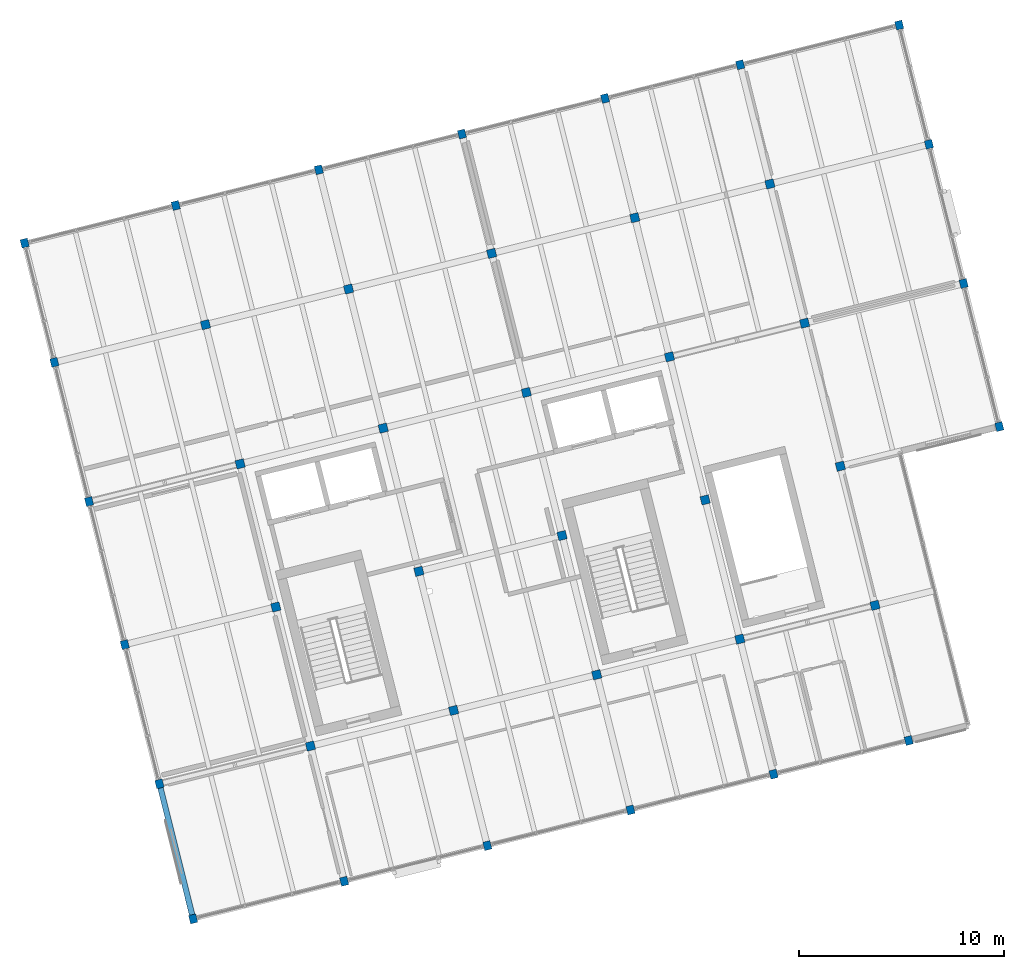
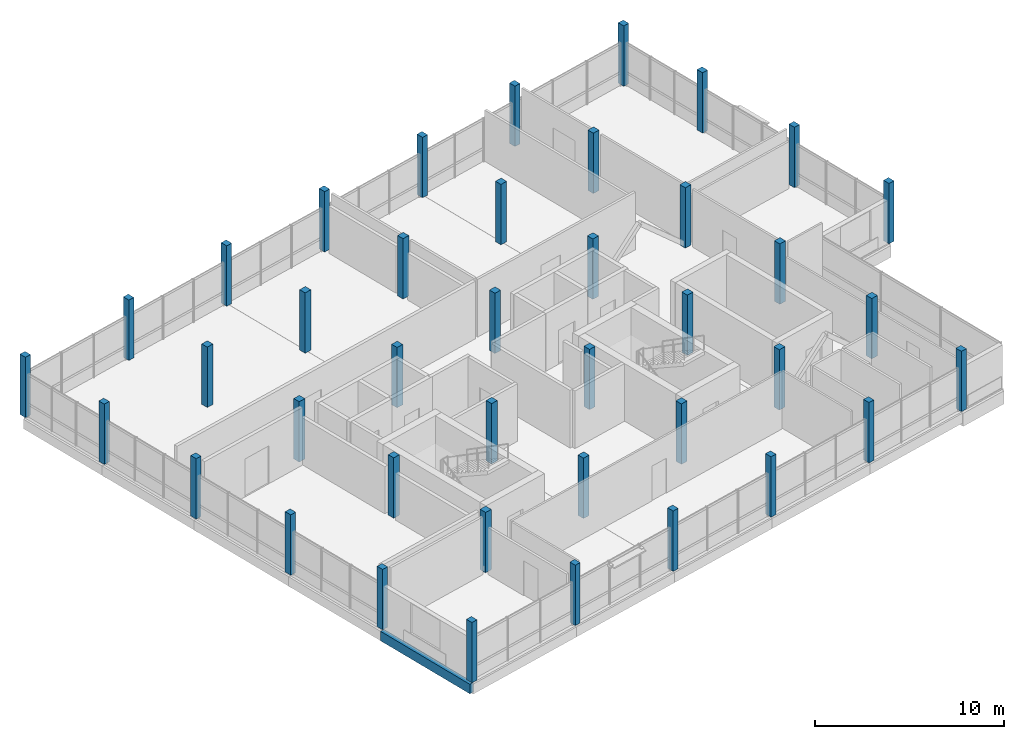
# One storey, part 1 of 28: 40 columns, 1 beam.
"""IFC4 building model written with IfcOpenShell, lengths in metres."""

from ifc_helpers import new_model, si_unit, direction, frame, origin, origin_2d, place, context, subcontext, project, spatial, rectangle, extrude, material, material_profile, profile_set, type_object, element, save


model = new_model("IFC4")

# Units and contexts
model_context = context("Model", 3, precision=1e-05, world=origin(), true_north=direction((0.0, 1.0)))
body_context = subcontext(model_context, "Body", "Model", "MODEL_VIEW")
ifc_project = project(units=[si_unit("LENGTHUNIT", "METRE"), si_unit("AREAUNIT", "SQUARE_METRE"), si_unit("VOLUMEUNIT", "CUBIC_METRE"), si_unit("PLANEANGLEUNIT", "RADIAN"), si_unit("MASSUNIT", "GRAM", prefix="KILO")], contexts=[model_context])

# Site, building, storey
site_placement = place(None, origin())
site = spatial("IfcSite", under=ifc_project, at=site_placement, CompositionType="ELEMENT")
building_placement = place(site_placement, origin())
building = spatial("IfcBuilding", under=site, at=building_placement, Name="Meriwether Solvik Hall", CompositionType="ELEMENT")
storey_placement = place(building_placement, frame((0.0, 0.0, 30.0)))
storey = spatial("IfcBuildingStorey", under=building, at=storey_placement, Name="L07", CompositionType="ELEMENT", Elevation=30.0)

# Columns
ifc_material_1 = material(Name="Glulam Douglas-Fir L2 GL28c", Category="wood")
ifc_material_profile_1 = material_profile(ifc_material_1, rectangle(XDim=0.364990234375, YDim=0.419921875, at=origin_2d()), Name="GLC-365X420")
ifc_profile_set_1 = profile_set([ifc_material_profile_1], Name="Glulam Douglas-Fir L2 GL28c")
column_type_1 = type_object("IfcColumnType", Name="COL-GL-365X420", PredefinedType="COLUMN", material=ifc_profile_set_1)
for number, where, z_axis, x_axis, name in (
    (1, (68.60009765625, 41.199951171875, 0.0), (0.0, 0.0, 1.0), (0.970295726276, 0.2419218956, 0.0), "Tower Column T1/TA (L07)"),
    (2, (66.954833984375, 47.798095703125, 0.0), (0.0, 0.0, 1.0), (0.970295726276, 0.2419218956, 0.0), "Tower Column T1/TB (L07)"),
    (3, (65.261474609375, 54.590087890625, 0.0), (0.0, 0.0, 1.0), (0.970295726276, 0.2419218956, 0.0), "Tower Column T1/TC (L07)"),
    (4, (63.51953125, 61.576171875, 0.0), (0.0, 0.0, 1.0), (0.970295726276, 0.2419218956, 0.0), "Tower Column T1/TD (L07)"),
    (5, (61.826171875, 68.3681640625, 0.0), (0.0, 0.0, 1.0), (0.970295726276, 0.2419218956, 0.0), "Tower Column T1/TE (L07)"),
    (6, (60.374755859375, 74.18994140625, 0.0), (0.0, 0.0, 1.0), (0.970295726276, 0.2419218956, 0.0), "Tower Column T1/TF (L07)"),
    (7, (75.974365234375, 43.03857421875, 0.0), (0.0, 0.0, 1.0), (0.970295726276, 0.2419218956, 0.0), "Tower Column T2/TA (L07)"),
    (8, (67.7490234375, 76.028564453125, 0.0), (0.0, 0.0, 1.0), (0.970295726276, 0.2419218956, 0.0), "Tower Column T2/TF (L07)"),
    (9, (82.96044921875, 44.780517578125, 0.0), (0.0, 0.0, 1.0), (0.970295726276, 0.2419218956, 0.0), "Tower Column T3/TA (L07)"),
    (10, (74.735107421875, 77.7705078125, 0.0), (0.0, 0.0, 1.0), (0.970295726276, 0.2419218956, 0.0), "Tower Column T3/TF (L07)"),
    (11, (89.946533203125, 46.522216796875, 0.0), (0.0, 0.0, 1.0), (0.970295726276, 0.2419218956, 0.0), "Tower Column T4/TA (L07)"),
    (12, (81.72119140625, 79.512451171875, 0.0), (0.0, 0.0, 1.0), (0.970295726276, 0.2419218956, 0.0), "Tower Column T4/TF (L07)"),
    (13, (96.9326171875, 48.26416015625, 0.0), (0.0, 0.0, 1.0), (0.970295726276, 0.2419218956, 0.0), "Tower Column T5/TA (L07)"),
    (14, (88.707275390625, 81.254150390625, 0.0), (0.0, 0.0, 1.0), (0.970295726276, 0.2419218956, 0.0), "Tower Column T5/TF (L07)"),
    (15, (103.53076171875, 49.9091796875, 0.0), (0.0, 0.0, 1.0), (0.970295726276, 0.2419218956, 0.0), "Tower Column T6/TA (L07)"),
    (16, (95.305419921875, 82.899169921875, 0.0), (0.0, 0.0, 1.0), (0.970295726276, 0.2419218956, 0.0), "Tower Column T6/TF (L07)"),
    (17, (107.95458984375, 65.234619140625, 0.0), (0.0, 0.0, 1.0), (0.970295726276, 0.2419218956, 0.0), "Tower Column T7/TC (L07)"),
    (18, (106.212646484375, 72.220703125, 0.0), (0.0, 0.0, 1.0), (0.970295726276, 0.2419218956, 0.0), "Tower Column T7/TD (L07)"),
    (19, (104.519287109375, 79.012939453125, 0.0), (0.0, 0.0, 1.0), (0.970295726276, 0.2419218956, 0.0), "Tower Column T7/TE (L07)"),
    (20, (103.067626953125, 84.834716796875, 0.0), (0.0, 0.0, 1.0), (0.970295726276, 0.2419218956, 0.0), "Tower Column T7/TF (L07)"),
):
    element("IfcColumn", number, at=place(storey_placement, frame(where, z_axis=z_axis, x_axis=x_axis)), inside=storey, type_object=column_type_1, Name=name, PredefinedType="COLUMN", context=body_context, shape_type="SweptSolid", body=[
        extrude(rectangle(XDim=0.364990234375, YDim=0.419921875, at=origin_2d()), origin(), (0.0, 0.0, 1.0), 3.89990234375),
    ])
ifc_material_2 = material(Name="Glulam Douglas-Fir L2 GL28c", Category="wood")
ifc_material_profile_2 = material_profile(ifc_material_2, rectangle(XDim=0.419921875, YDim=0.419921875, at=origin_2d()), Name="GLC-420X420")
ifc_profile_set_2 = profile_set([ifc_material_profile_2], Name="Glulam Douglas-Fir L2 GL28c")
column_type_2 = type_object("IfcColumnType", Name="COL-GL-420X420", PredefinedType="COLUMN", material=ifc_profile_set_2)
for number, where, z_axis, x_axis, name in (
    (21, (74.3291015625, 49.63671875, 0.0), (0.0, 0.0, 1.0), (0.970295726276, 0.2419218956, 0.0), "Tower Column T2/TB (L07)"),
    (22, (72.6357421875, 56.4287109375, 0.0), (0.0, 0.0, 1.0), (0.970295726276, 0.2419218956, 0.0), "Tower Column T2/TC (L07)"),
    (23, (70.893798828125, 63.414794921875, 0.0), (0.0, 0.0, 1.0), (0.970295726276, 0.2419218956, 0.0), "Tower Column T2/TD (L07)"),
    (24, (69.200439453125, 70.206787109375, 0.0), (0.0, 0.0, 1.0), (0.970295726276, 0.2419218956, 0.0), "Tower Column T2/TE (L07)"),
    (25, (81.3154296875, 51.37841796875, 0.0), (0.0, 0.0, 1.0), (0.970295726276, 0.2419218956, 0.0), "Tower Column T3/TB (L07)"),
    (26, (79.621826171875, 58.17041015625, 0.0), (0.0, 0.0, 1.0), (0.970295726276, 0.2419218956, 0.0), "Tower Column T3/TC (L07)"),
    (27, (77.880126953125, 65.15673828125, 0.0), (0.0, 0.0, 1.0), (0.970295726276, 0.2419218956, 0.0), "Tower Column T3/TD (L07)"),
    (28, (76.1865234375, 71.94873046875, 0.0), (0.0, 0.0, 1.0), (0.970295726276, 0.2419218956, 0.0), "Tower Column T3/TE (L07)"),
    (29, (88.301513671875, 53.120361328125, 0.0), (0.0, 0.0, 1.0), (0.970295726276, 0.2419218956, 0.0), "Tower Column T4/TB (L07)"),
    (30, (86.60791015625, 59.912353515625, 0.0), (0.0, 0.0, 1.0), (0.970295726276, 0.2419218956, 0.0), "Tower Column T4/TC (L07)"),
    (31, (84.8662109375, 66.8984375, 0.0), (0.0, 0.0, 1.0), (0.970295726276, 0.2419218956, 0.0), "Tower Column T4/TD (L07)"),
    (32, (83.172607421875, 73.690673828125, 0.0), (0.0, 0.0, 1.0), (0.970295726276, 0.2419218956, 0.0), "Tower Column T4/TE (L07)"),
    (33, (95.28759765625, 54.862060546875, 0.0), (0.0, 0.0, 1.0), (0.970295726276, 0.2419218956, 0.0), "Tower Column T5/TB (L07)"),
    (34, (93.593994140625, 61.654296875, 0.0), (0.0, 0.0, 1.0), (0.970295726276, 0.2419218956, 0.0), "Tower Column T5/TC (L07)"),
    (35, (91.852294921875, 68.640380859375, 0.0), (0.0, 0.0, 1.0), (0.970295726276, 0.2419218956, 0.0), "Tower Column T5/TD (L07)"),
    (36, (90.158935546875, 75.432373046875, 0.0), (0.0, 0.0, 1.0), (0.970295726276, 0.2419218956, 0.0), "Tower Column T5/TE (L07)"),
    (37, (101.885498046875, 56.507080078125, 0.0), (0.0, 0.0, 1.0), (0.970295726276, 0.2419218956, 0.0), "Tower Column T6/TB (L07)"),
    (38, (100.192138671875, 63.29931640625, 0.0), (0.0, 0.0, 1.0), (0.970295726276, 0.2419218956, 0.0), "Tower Column T6/TC (L07)"),
    (39, (98.4501953125, 70.285400390625, 0.0), (0.0, 0.0, 1.0), (0.970295726276, 0.2419218956, 0.0), "Tower Column T6/TD (L07)"),
    (40, (96.7568359375, 77.077392578125, 0.0), (0.0, 0.0, 1.0), (0.970295726276, 0.2419218956, 0.0), "Tower Column T6/TE (L07)"),
):
    element("IfcColumn", number, at=place(storey_placement, frame(where, z_axis=z_axis, x_axis=x_axis)), inside=storey, type_object=column_type_2, Name=name, PredefinedType="COLUMN", context=body_context, shape_type="SweptSolid", body=[
        extrude(rectangle(XDim=0.419921875, YDim=0.419921875, at=origin_2d()), origin(), (0.0, 0.0, 1.0), 3.89990234375),
    ])

# Beam
ifc_material_3 = material(Name="Glulam Douglas-Fir 24F-V8 GL28h", Category="wood")
ifc_material_profile_3 = material_profile(ifc_material_3, rectangle(XDim=0.27294921875, YDim=0.610107421875, at=origin_2d()), Name="GLB-273X610")
ifc_profile_set_3 = profile_set([ifc_material_profile_3], Name="Glulam Douglas-Fir 24F-V8 GL28h")
beam_type = type_object("IfcBeamType", Name="BM-GL-273X610", PredefinedType="SPANDREL", material=ifc_profile_set_3)
beam_placement = place(storey_placement, frame((68.60009765625, 41.199951171875, -0.52490234375), z_axis=(-0.241944251278, 0.970290152106, 0.0), x_axis=(-0.970290152106, -0.241944251278, 0.0)))
element("IfcBeam", 41, at=beam_placement, inside=storey, type_object=beam_type, Name="Tower Girder T1:TA-TB (L07)", PredefinedType="SPANDREL", context=body_context, shape_type="SweptSolid", body=[
    extrude(rectangle(XDim=0.27294921875, YDim=0.610107421875, at=origin_2d()), origin(), (0.0, 0.0, 1.0), 6.80029296875),
])

save(model, "model.ifc")
